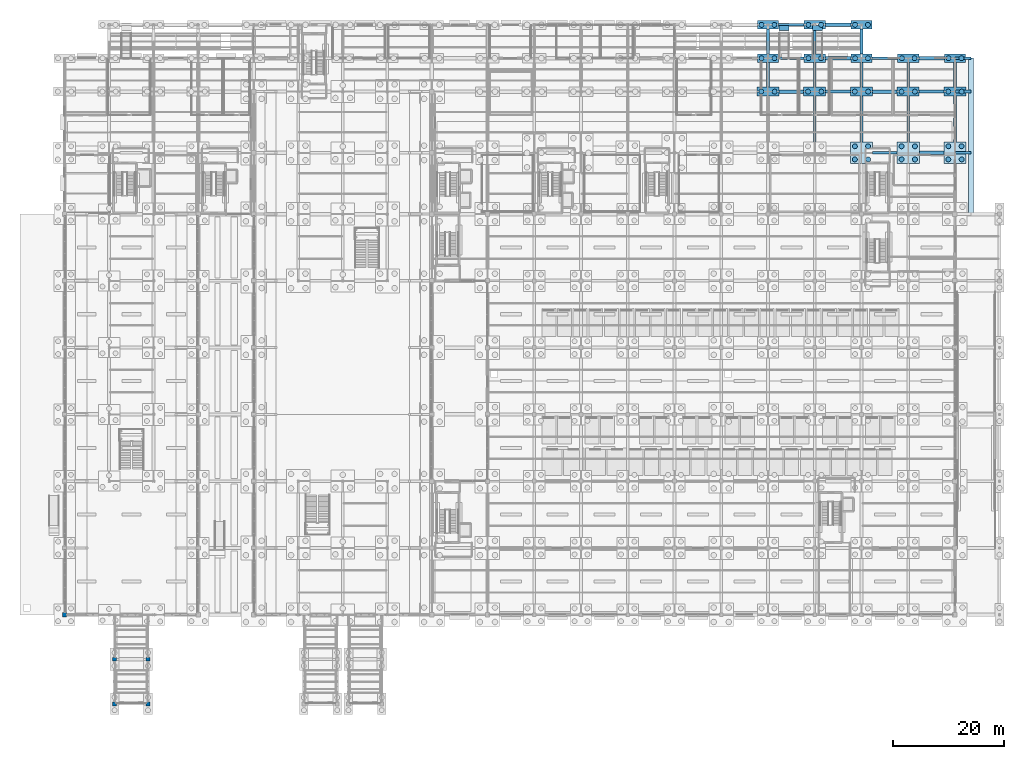
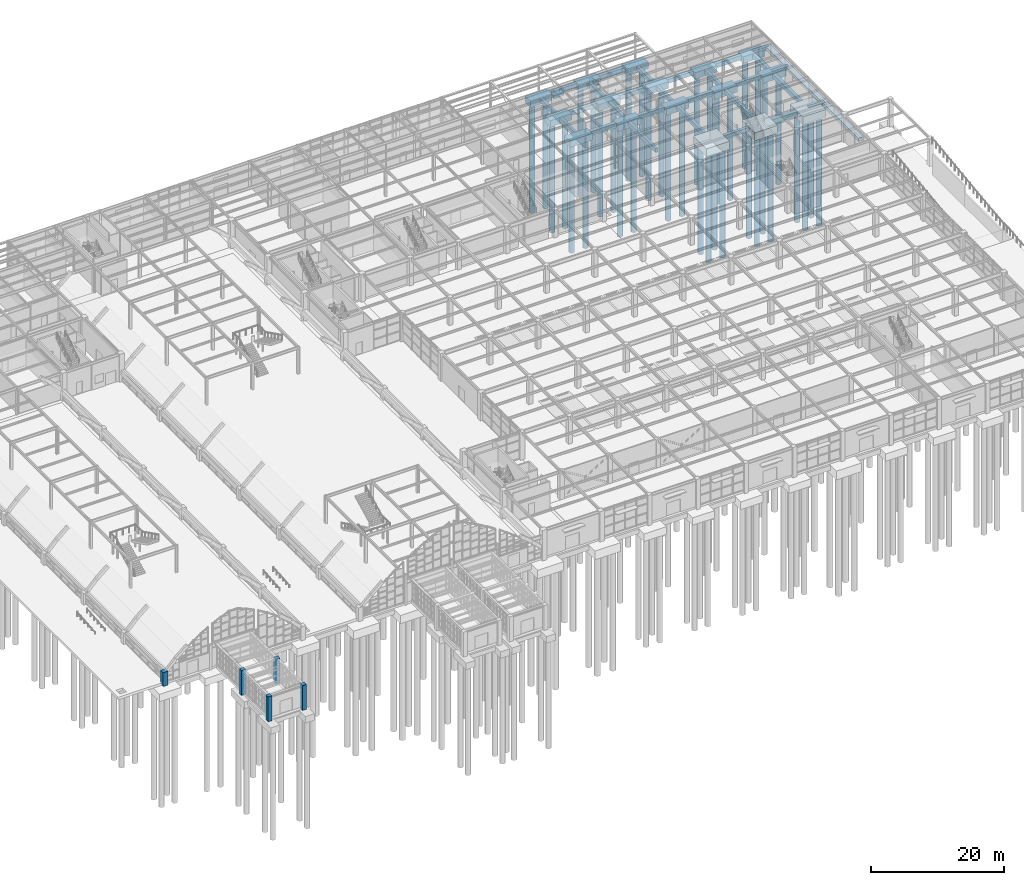
# One storey, part 11 of 129: 46 footings, 38 piles, 5 columns.
"""IFC4 building model written with IfcOpenShell, lengths in metres."""

from ifc_helpers import new_model, si_unit, direction, frame, origin, origin_2d, place, context, subcontext, project, spatial, rectangle, circle, extrude, material, material_profile, profile_set, type_object, element, save


model = new_model("IFC4")

# Units and contexts
model_context = context("Model", 3, precision=1e-05, world=origin(), true_north=direction((0.0, 1.0)))
body_context = subcontext(model_context, "Body", "Model", "MODEL_VIEW")
ifc_project = project(units=[si_unit("LENGTHUNIT", "METRE"), si_unit("AREAUNIT", "SQUARE_METRE"), si_unit("VOLUMEUNIT", "CUBIC_METRE"), si_unit("PLANEANGLEUNIT", "RADIAN"), si_unit("MASSUNIT", "GRAM", prefix="KILO")], contexts=[model_context])

# Site, building, storey
site_placement = place(None, origin())
site = spatial("IfcSite", under=ifc_project, at=site_placement, CompositionType="ELEMENT")
building_placement = place(site_placement, origin())
building = spatial("IfcBuilding", under=site, at=building_placement, Name="Sitalva Quay Ferry Terminal", CompositionType="ELEMENT")
storey_placement = place(building_placement, origin())
storey = spatial("IfcBuildingStorey", under=building, at=storey_placement, Name="L01", CompositionType="ELEMENT", Elevation=0.0)

# Footings
ifc_material_1 = material(Name="Concrete C35/45", Category="concrete")
ifc_material_profile_1 = material_profile(ifc_material_1, rectangle(XDim=0.5, YDim=0.75, at=origin_2d()), Name="RC500x750")
ifc_profile_set_1 = profile_set([ifc_material_profile_1], Name="Concrete C35/45")
footing_type_1 = type_object("IfcFootingType", Name="FootingBeam_500x750", PredefinedType="FOOTING_BEAM", material=ifc_profile_set_1)
footing_1_placement = place(storey_placement, frame((153.199951171875, 89.0, -0.824951171875), z_axis=(1.0, 0.0, 0.0), x_axis=(0.0, 1.0, 0.0)))
element("IfcFooting", 1, at=footing_1_placement, inside=storey, type_object=footing_type_1, Name="Foundation tie beam FBR1-X-153", PredefinedType="FOOTING_BEAM", context=body_context, shape_type="SweptSolid", body=[
    extrude(rectangle(XDim=0.5, YDim=0.75, at=origin_2d()), origin(), (0.0, 0.0, 1.0), 4.400146484375),
])
footing_2_placement = place(storey_placement, frame((144.77490234375, 100.0, -0.824951171875), z_axis=(1.0, 0.0, 0.0), x_axis=(0.0, 1.0, 0.0)))
element("IfcFooting", 2, at=footing_2_placement, inside=storey, type_object=footing_type_1, Name="Foundation tie beam FBR1-X-171", PredefinedType="FOOTING_BEAM", context=body_context, shape_type="SweptSolid", body=[
    extrude(rectangle(XDim=0.5, YDim=0.75, at=origin_2d()), origin(), (0.0, 0.0, 1.0), 4.4501953125),
])
footing_3_placement = place(storey_placement, frame((161.574951171875, 100.0, -0.824951171875), z_axis=(1.0, 0.0, 0.0), x_axis=(0.0, 1.0, 0.0)))
element("IfcFooting", 3, at=footing_3_placement, inside=storey, type_object=footing_type_1, Name="Foundation tie beam FBR1-X-173", PredefinedType="FOOTING_BEAM", context=body_context, shape_type="SweptSolid", body=[
    extrude(rectangle(XDim=0.5, YDim=0.75, at=origin_2d()), origin(), (0.0, 0.0, 1.0), 4.449951171875),
])
for number, where, z_axis, x_axis, name in (
    (4, (136.300048828125, 106.0, -0.824951171875), (1.0, 0.0, 0.0), (0.0, 1.0, 0.0), "Foundation tie beam FBR1-X-189"),
    (5, (153.10009765625, 106.0, -0.824951171875), (1.0, 0.0, 0.0), (0.0, 1.0, 0.0), "Foundation tie beam FBR1-X-191"),
    (6, (136.300048828125, 112.0, -0.824951171875), (1.0, 0.0, 0.0), (0.0, 1.0, 0.0), "Foundation tie beam FBR1-X-207"),
):
    element("IfcFooting", number, at=place(storey_placement, frame(where, z_axis=z_axis, x_axis=x_axis)), inside=storey, type_object=footing_type_1, Name=name, PredefinedType="FOOTING_BEAM", context=body_context, shape_type="SweptSolid", body=[
        extrude(rectangle(XDim=0.5, YDim=0.75, at=origin_2d()), origin(), (0.0, 0.0, 1.0), 4.599853515625),
    ])
footing_4_placement = place(storey_placement, frame((134.39990234375, 100.800048828125, -0.824951171875), z_axis=(0.0, 1.0, 0.0), x_axis=(-1.0, 0.0, 0.0)))
element("IfcFooting", 7, at=footing_4_placement, inside=storey, type_object=footing_type_1, Name="Foundation tie beam FBR1-Y-359", PredefinedType="FOOTING_BEAM", context=body_context, shape_type="SweptSolid", body=[
    extrude(rectangle(XDim=0.5, YDim=0.75, at=origin_2d()), origin(), (0.0, 0.0, 1.0), 4.425048828125),
])
footing_5_placement = place(storey_placement, frame((134.39990234375, 106.77490234375, -0.824951171875), z_axis=(0.0, 1.0, 0.0), x_axis=(-1.0, 0.0, 0.0)))
element("IfcFooting", 8, at=footing_5_placement, inside=storey, type_object=footing_type_1, Name="Foundation tie beam FBR1-Y-360", PredefinedType="FOOTING_BEAM", context=body_context, shape_type="SweptSolid", body=[
    extrude(rectangle(XDim=0.5, YDim=0.75, at=origin_2d()), origin(), (0.0, 0.0, 1.0), 4.4501953125),
])
footing_6_placement = place(storey_placement, frame((142.800048828125, 90.949951171875, -0.824951171875), z_axis=(0.0, 1.0, 0.0), x_axis=(-1.0, 0.0, 0.0)))
element("IfcFooting", 9, at=footing_6_placement, inside=storey, type_object=footing_type_1, Name="Foundation tie beam FBR1-Y-368", PredefinedType="FOOTING_BEAM", context=body_context, shape_type="SweptSolid", body=[
    extrude(rectangle(XDim=0.5, YDim=0.75, at=origin_2d()), origin(), (0.0, 0.0, 1.0), 8.25),
])
footing_7_placement = place(storey_placement, frame((142.800048828125, 100.800048828125, -0.824951171875), z_axis=(0.0, 1.0, 0.0), x_axis=(-1.0, 0.0, 0.0)))
element("IfcFooting", 10, at=footing_7_placement, inside=storey, type_object=footing_type_1, Name="Foundation tie beam FBR1-Y-369", PredefinedType="FOOTING_BEAM", context=body_context, shape_type="SweptSolid", body=[
    extrude(rectangle(XDim=0.5, YDim=0.75, at=origin_2d()), origin(), (0.0, 0.0, 1.0), 4.425048828125),
])
footing_8_placement = place(storey_placement, frame((142.800048828125, 106.77490234375, -0.824951171875), z_axis=(0.0, 1.0, 0.0), x_axis=(-1.0, 0.0, 0.0)))
element("IfcFooting", 11, at=footing_8_placement, inside=storey, type_object=footing_type_1, Name="Foundation tie beam FBR1-Y-370", PredefinedType="FOOTING_BEAM", context=body_context, shape_type="SweptSolid", body=[
    extrude(rectangle(XDim=0.5, YDim=0.75, at=origin_2d()), origin(), (0.0, 0.0, 1.0), 4.4501953125),
])
footing_9_placement = place(storey_placement, frame((151.199951171875, 90.949951171875, -0.824951171875), z_axis=(0.0, 1.0, 0.0), x_axis=(-1.0, 0.0, 0.0)))
element("IfcFooting", 12, at=footing_9_placement, inside=storey, type_object=footing_type_1, Name="Foundation tie beam FBR1-Y-378", PredefinedType="FOOTING_BEAM", context=body_context, shape_type="SweptSolid", body=[
    extrude(rectangle(XDim=0.5, YDim=0.75, at=origin_2d()), origin(), (0.0, 0.0, 1.0), 8.25),
])
footing_10_placement = place(storey_placement, frame((151.199951171875, 100.800048828125, -0.824951171875), z_axis=(0.0, 1.0, 0.0), x_axis=(-1.0, 0.0, 0.0)))
element("IfcFooting", 13, at=footing_10_placement, inside=storey, type_object=footing_type_1, Name="Foundation tie beam FBR1-Y-379", PredefinedType="FOOTING_BEAM", context=body_context, shape_type="SweptSolid", body=[
    extrude(rectangle(XDim=0.5, YDim=0.75, at=origin_2d()), origin(), (0.0, 0.0, 1.0), 4.425048828125),
])
footing_11_placement = place(storey_placement, frame((151.199951171875, 106.77490234375, -0.824951171875), z_axis=(0.0, 1.0, 0.0), x_axis=(-1.0, 0.0, 0.0)))
element("IfcFooting", 14, at=footing_11_placement, inside=storey, type_object=footing_type_1, Name="Foundation tie beam FBR1-Y-380", PredefinedType="FOOTING_BEAM", context=body_context, shape_type="SweptSolid", body=[
    extrude(rectangle(XDim=0.5, YDim=0.75, at=origin_2d()), origin(), (0.0, 0.0, 1.0), 4.4501953125),
])
footing_12_placement = place(storey_placement, frame((159.60009765625, 90.949951171875, -0.824951171875), z_axis=(0.0, 1.0, 0.0), x_axis=(-1.0, 0.0, 0.0)))
element("IfcFooting", 15, at=footing_12_placement, inside=storey, type_object=footing_type_1, Name="Foundation tie beam FBR1-Y-388", PredefinedType="FOOTING_BEAM", context=body_context, shape_type="SweptSolid", body=[
    extrude(rectangle(XDim=0.5, YDim=0.75, at=origin_2d()), origin(), (0.0, 0.0, 1.0), 8.25),
])
footing_13_placement = place(storey_placement, frame((159.60009765625, 100.800048828125, -0.824951171875), z_axis=(0.0, 1.0, 0.0), x_axis=(-1.0, 0.0, 0.0)))
element("IfcFooting", 16, at=footing_13_placement, inside=storey, type_object=footing_type_1, Name="Foundation tie beam FBR1-Y-389", PredefinedType="FOOTING_BEAM", context=body_context, shape_type="SweptSolid", body=[
    extrude(rectangle(XDim=0.5, YDim=0.75, at=origin_2d()), origin(), (0.0, 0.0, 1.0), 4.425048828125),
])
for number, where, z_axis, x_axis, name in (
    (17, (168.0, 89.0, -0.824951171875), (1.0, 0.0, 0.0), (0.0, 1.0, 0.0), "East service walkway tie beam Y=89"),
    (18, (168.0, 100.0, -0.824951171875), (1.0, 0.0, 0.0), (0.0, 1.0, 0.0), "East service walkway tie beam Y=100"),
    (19, (168.0, 106.0, -0.824951171875), (1.0, 0.0, 0.0), (0.0, 1.0, 0.0), "East service walkway tie beam Y=106"),
):
    element("IfcFooting", number, at=place(storey_placement, frame(where, z_axis=z_axis, x_axis=x_axis)), inside=storey, type_object=footing_type_1, Name=name, PredefinedType="FOOTING_BEAM", context=body_context, shape_type="SweptSolid", body=[
        extrude(rectangle(XDim=0.5, YDim=0.75, at=origin_2d()), origin(), (0.0, 0.0, 1.0), 2.85009765625),
    ])
ifc_material_2 = material(Name="Concrete C35/45", Category="concrete")
ifc_material_profile_2 = material_profile(ifc_material_2, rectangle(XDim=0.60009765625, YDim=0.800048828125, at=origin_2d()), Name="RC600x800")
ifc_profile_set_2 = profile_set([ifc_material_profile_2], Name="Concrete C35/45")
footing_type_2 = type_object("IfcFootingType", Name="FootingBeam_600x800", PredefinedType="FOOTING_BEAM", material=ifc_profile_set_2)
footing_14_placement = place(storey_placement, frame((161.60009765625, 89.0, -0.85009765625), z_axis=(1.0, 0.0, 0.0), x_axis=(0.0, 1.0, 0.0)))
element("IfcFooting", 20, at=footing_14_placement, inside=storey, type_object=footing_type_2, Name="Foundation tie beam FBR1-X-154", PredefinedType="FOOTING_BEAM", context=body_context, shape_type="SweptSolid", body=[
    extrude(rectangle(XDim=0.60009765625, YDim=0.800048828125, at=origin_2d()), origin(), (0.0, 0.0, 1.0), 4.39990234375),
])
for number, where, z_axis, x_axis, name in (
    (21, (136.375, 100.0, -0.85009765625), (1.0, 0.0, 0.0), (0.0, 1.0, 0.0), "Foundation tie beam FBR1-X-170"),
    (22, (153.175048828125, 100.0, -0.85009765625), (1.0, 0.0, 0.0), (0.0, 1.0, 0.0), "Foundation tie beam FBR1-X-172"),
):
    element("IfcFooting", number, at=place(storey_placement, frame(where, z_axis=z_axis, x_axis=x_axis)), inside=storey, type_object=footing_type_2, Name=name, PredefinedType="FOOTING_BEAM", context=body_context, shape_type="SweptSolid", body=[
        extrude(rectangle(XDim=0.60009765625, YDim=0.800048828125, at=origin_2d()), origin(), (0.0, 0.0, 1.0), 4.449951171875),
    ])
for number, where, z_axis, x_axis, name in (
    (23, (144.699951171875, 106.0, -0.85009765625), (1.0, 0.0, 0.0), (0.0, 1.0, 0.0), "Foundation tie beam FBR1-X-190"),
    (24, (161.5, 106.0, -0.85009765625), (1.0, 0.0, 0.0), (0.0, 1.0, 0.0), "Foundation tie beam FBR1-X-192"),
    (25, (144.699951171875, 112.0, -0.85009765625), (1.0, 0.0, 0.0), (0.0, 1.0, 0.0), "Foundation tie beam FBR1-X-208"),
):
    element("IfcFooting", number, at=place(storey_placement, frame(where, z_axis=z_axis, x_axis=x_axis)), inside=storey, type_object=footing_type_2, Name=name, PredefinedType="FOOTING_BEAM", context=body_context, shape_type="SweptSolid", body=[
        extrude(rectangle(XDim=0.60009765625, YDim=0.800048828125, at=origin_2d()), origin(), (0.0, 0.0, 1.0), 4.60009765625),
    ])
footing_15_placement = place(storey_placement, frame((168.0, 90.949951171875, -0.85009765625), z_axis=(0.0, 1.0, 0.0), x_axis=(-1.0, 0.0, 0.0)))
element("IfcFooting", 26, at=footing_15_placement, inside=storey, type_object=footing_type_2, Name="Foundation tie beam FBR1-Y-397", PredefinedType="FOOTING_BEAM", context=body_context, shape_type="SweptSolid", body=[
    extrude(rectangle(XDim=0.60009765625, YDim=0.800048828125, at=origin_2d()), origin(), (0.0, 0.0, 1.0), 8.25),
])
footing_16_placement = place(storey_placement, frame((168.0, 100.800048828125, -0.85009765625), z_axis=(0.0, 1.0, 0.0), x_axis=(-1.0, 0.0, 0.0)))
element("IfcFooting", 27, at=footing_16_placement, inside=storey, type_object=footing_type_2, Name="Foundation tie beam FBR1-Y-398", PredefinedType="FOOTING_BEAM", context=body_context, shape_type="SweptSolid", body=[
    extrude(rectangle(XDim=0.60009765625, YDim=0.800048828125, at=origin_2d()), origin(), (0.0, 0.0, 1.0), 4.425048828125),
])
ifc_material_3 = material(Name="Concrete C35/45", Category="concrete")
footing_type_3 = type_object("IfcFootingType", Name="PileCap_2P_D900_X1", PredefinedType="PILE_CAP", material=ifc_material_3)
for number, where, z_axis, x_axis, name in (
    (28, (134.39990234375, 106.0, -1.64990234375), (0.0, 0.0, 1.0), (1.0, 0.0, 0.0), "Pile cap PC-13 at 17M"),
    (29, (142.800048828125, 106.0, -1.64990234375), (0.0, 0.0, 1.0), (1.0, 0.0, 0.0), "Pile cap PC-13 at 18M"),
    (30, (151.199951171875, 106.0, -1.64990234375), (0.0, 0.0, 1.0), (1.0, 0.0, 0.0), "Pile cap PC-13 at 19M"),
    (31, (159.60009765625, 106.0, -1.64990234375), (0.0, 0.0, 1.0), (1.0, 0.0, 0.0), "Pile cap PC-13 at 20M"),
    (32, (168.0, 106.0, -1.64990234375), (0.0, 0.0, 1.0), (1.0, 0.0, 0.0), "Pile cap PC-13 at 21M"),
    (33, (134.39990234375, 112.0, -1.64990234375), (0.0, 0.0, 1.0), (1.0, 0.0, 0.0), "Pile cap PC-13 at 17N"),
    (34, (142.800048828125, 112.0, -1.64990234375), (0.0, 0.0, 1.0), (1.0, 0.0, 0.0), "Pile cap PC-13 at 18N"),
    (35, (151.199951171875, 112.0, -1.64990234375), (0.0, 0.0, 1.0), (1.0, 0.0, 0.0), "Pile cap PC-13 at 19N"),
):
    element("IfcFooting", number, at=place(storey_placement, frame(where, z_axis=z_axis, x_axis=x_axis)), inside=storey, type_object=footing_type_3, Name=name, PredefinedType="PILE_CAP", context=body_context, shape_type="SweptSolid", body=[
        extrude(rectangle(XDim=3.800048828125, YDim=1.550048828125, at=origin_2d()), origin(), (0.0, 0.0, 1.0), 1.199951171875),
    ])
ifc_material_4 = material(Name="Concrete C35/45", Category="concrete")
footing_type_4 = type_object("IfcFootingType", Name="PileCap_2P_D900_X2", PredefinedType="PILE_CAP", material=ifc_material_4)
for number, where, z_axis, x_axis, name in (
    (36, (134.39990234375, 100.0, -1.699951171875), (0.0, 0.0, 1.0), (1.0, 0.0, 0.0), "Pile cap PC-14 at 17L"),
    (37, (142.800048828125, 100.0, -1.699951171875), (0.0, 0.0, 1.0), (1.0, 0.0, 0.0), "Pile cap PC-14 at 18L"),
    (38, (151.199951171875, 100.0, -1.699951171875), (0.0, 0.0, 1.0), (1.0, 0.0, 0.0), "Pile cap PC-14 at 19L"),
    (39, (159.60009765625, 100.0, -1.699951171875), (0.0, 0.0, 1.0), (1.0, 0.0, 0.0), "Pile cap PC-14 at 20L"),
    (40, (168.0, 100.0, -1.699951171875), (0.0, 0.0, 1.0), (1.0, 0.0, 0.0), "Pile cap PC-14 at 21L"),
):
    element("IfcFooting", number, at=place(storey_placement, frame(where, z_axis=z_axis, x_axis=x_axis)), inside=storey, type_object=footing_type_4, Name=name, PredefinedType="PILE_CAP", context=body_context, shape_type="SweptSolid", body=[
        extrude(rectangle(XDim=3.949951171875, YDim=1.60009765625, at=origin_2d()), origin(), (0.0, 0.0, 1.0), 1.25),
    ])
ifc_material_5 = material(Name="Concrete C35/45", Category="concrete")
footing_type_5 = type_object("IfcFootingType", Name="PileCap_4P_D900_C", PredefinedType="PILE_CAP", material=ifc_material_5)
for number, where, z_axis, x_axis, name in (
    (41, (151.199951171875, 89.0, -1.89990234375), (0.0, 0.0, 1.0), (1.0, 0.0, 0.0), "Pile cap PC-09 at 19K"),
    (42, (159.60009765625, 89.0, -1.89990234375), (0.0, 0.0, 1.0), (1.0, 0.0, 0.0), "Pile cap PC-09 at 20K"),
    (43, (168.0, 89.0, -1.89990234375), (0.0, 0.0, 1.0), (1.0, 0.0, 0.0), "Pile cap PC-09 at 21K"),
):
    element("IfcFooting", number, at=place(storey_placement, frame(where, z_axis=z_axis, x_axis=x_axis)), inside=storey, type_object=footing_type_5, Name=name, PredefinedType="PILE_CAP", context=body_context, shape_type="SweptSolid", body=[
        extrude(rectangle(XDim=4.0, YDim=3.89990234375, at=origin_2d()), origin(), (0.0, 0.0, 1.0), 1.449951171875),
    ])

# Piles
ifc_material_6 = material(Name="Concrete C35/45", Category="concrete")
ifc_material_profile_3 = material_profile(ifc_material_6, circle(Radius=0.449951171875, at=origin_2d()), Name="PILE-D900")
ifc_profile_set_3 = profile_set([ifc_material_profile_3], Name="Concrete C35/45")
pile_type = type_object("IfcPileType", Name="Pile_Bored_D900", PredefinedType="BORED", material=ifc_profile_set_3)
for number, where, z_axis, x_axis, name in (
    (44, (150.0, 87.820068359375, -1.800048828125), (0.0, 0.0, -1.0), (1.0, 0.0, 0.0), "Bored pile 19K-P1"),
    (45, (152.39990234375, 87.820068359375, -1.800048828125), (0.0, 0.0, -1.0), (1.0, 0.0, 0.0), "Bored pile 19K-P2"),
    (46, (150.0, 90.179931640625, -1.800048828125), (0.0, 0.0, -1.0), (1.0, 0.0, 0.0), "Bored pile 19K-P3"),
    (47, (152.39990234375, 90.179931640625, -1.800048828125), (0.0, 0.0, -1.0), (1.0, 0.0, 0.0), "Bored pile 19K-P4"),
    (48, (158.39990234375, 87.820068359375, -1.800048828125), (0.0, 0.0, -1.0), (1.0, 0.0, 0.0), "Bored pile 20K-P1"),
    (49, (160.800048828125, 87.820068359375, -1.800048828125), (0.0, 0.0, -1.0), (1.0, 0.0, 0.0), "Bored pile 20K-P2"),
    (50, (158.39990234375, 90.179931640625, -1.800048828125), (0.0, 0.0, -1.0), (1.0, 0.0, 0.0), "Bored pile 20K-P3"),
    (51, (160.800048828125, 90.179931640625, -1.800048828125), (0.0, 0.0, -1.0), (1.0, 0.0, 0.0), "Bored pile 20K-P4"),
    (52, (166.800048828125, 87.820068359375, -1.800048828125), (0.0, 0.0, -1.0), (1.0, 0.0, 0.0), "Bored pile 21K-P1"),
    (53, (169.199951171875, 87.820068359375, -1.800048828125), (0.0, 0.0, -1.0), (1.0, 0.0, 0.0), "Bored pile 21K-P2"),
    (54, (166.800048828125, 90.179931640625, -1.800048828125), (0.0, 0.0, -1.0), (1.0, 0.0, 0.0), "Bored pile 21K-P3"),
    (55, (169.199951171875, 90.179931640625, -1.800048828125), (0.0, 0.0, -1.0), (1.0, 0.0, 0.0), "Bored pile 21K-P4"),
    (56, (133.199951171875, 100.0, -1.60009765625), (0.0, 0.0, -1.0), (1.0, 0.0, 0.0), "Bored pile 17L-P1"),
    (57, (135.60009765625, 100.0, -1.60009765625), (0.0, 0.0, -1.0), (1.0, 0.0, 0.0), "Bored pile 17L-P2"),
    (58, (141.60009765625, 100.0, -1.60009765625), (0.0, 0.0, -1.0), (1.0, 0.0, 0.0), "Bored pile 18L-P1"),
    (59, (144.0, 100.0, -1.60009765625), (0.0, 0.0, -1.0), (1.0, 0.0, 0.0), "Bored pile 18L-P2"),
    (60, (150.0, 100.0, -1.60009765625), (0.0, 0.0, -1.0), (1.0, 0.0, 0.0), "Bored pile 19L-P1"),
    (61, (152.39990234375, 100.0, -1.60009765625), (0.0, 0.0, -1.0), (1.0, 0.0, 0.0), "Bored pile 19L-P2"),
    (62, (158.39990234375, 100.0, -1.60009765625), (0.0, 0.0, -1.0), (1.0, 0.0, 0.0), "Bored pile 20L-P1"),
    (63, (160.800048828125, 100.0, -1.60009765625), (0.0, 0.0, -1.0), (1.0, 0.0, 0.0), "Bored pile 20L-P2"),
    (64, (166.800048828125, 100.0, -1.60009765625), (0.0, 0.0, -1.0), (1.0, 0.0, 0.0), "Bored pile 21L-P1"),
    (65, (169.199951171875, 100.0, -1.60009765625), (0.0, 0.0, -1.0), (1.0, 0.0, 0.0), "Bored pile 21L-P2"),
    (66, (133.25, 106.0, -1.550048828125), (0.0, 0.0, -1.0), (1.0, 0.0, 0.0), "Bored pile 17M-P1"),
    (67, (135.550048828125, 106.0, -1.550048828125), (0.0, 0.0, -1.0), (1.0, 0.0, 0.0), "Bored pile 17M-P2"),
    (68, (141.64990234375, 106.0, -1.550048828125), (0.0, 0.0, -1.0), (1.0, 0.0, 0.0), "Bored pile 18M-P1"),
    (69, (143.949951171875, 106.0, -1.550048828125), (0.0, 0.0, -1.0), (1.0, 0.0, 0.0), "Bored pile 18M-P2"),
    (70, (150.050048828125, 106.0, -1.550048828125), (0.0, 0.0, -1.0), (1.0, 0.0, 0.0), "Bored pile 19M-P1"),
    (71, (152.35009765625, 106.0, -1.550048828125), (0.0, 0.0, -1.0), (1.0, 0.0, 0.0), "Bored pile 19M-P2"),
    (72, (158.449951171875, 106.0, -1.550048828125), (0.0, 0.0, -1.0), (1.0, 0.0, 0.0), "Bored pile 20M-P1"),
    (73, (160.75, 106.0, -1.550048828125), (0.0, 0.0, -1.0), (1.0, 0.0, 0.0), "Bored pile 20M-P2"),
    (74, (166.85009765625, 106.0, -1.550048828125), (0.0, 0.0, -1.0), (1.0, 0.0, 0.0), "Bored pile 21M-P1"),
    (75, (169.14990234375, 106.0, -1.550048828125), (0.0, 0.0, -1.0), (1.0, 0.0, 0.0), "Bored pile 21M-P2"),
    (76, (133.25, 112.0, -1.550048828125), (0.0, 0.0, -1.0), (1.0, 0.0, 0.0), "Bored pile 17N-P1"),
    (77, (135.550048828125, 112.0, -1.550048828125), (0.0, 0.0, -1.0), (1.0, 0.0, 0.0), "Bored pile 17N-P2"),
    (78, (141.64990234375, 112.0, -1.550048828125), (0.0, 0.0, -1.0), (1.0, 0.0, 0.0), "Bored pile 18N-P1"),
    (79, (143.949951171875, 112.0, -1.550048828125), (0.0, 0.0, -1.0), (1.0, 0.0, 0.0), "Bored pile 18N-P2"),
    (80, (150.050048828125, 112.0, -1.550048828125), (0.0, 0.0, -1.0), (1.0, 0.0, 0.0), "Bored pile 19N-P1"),
    (81, (152.35009765625, 112.0, -1.550048828125), (0.0, 0.0, -1.0), (1.0, 0.0, 0.0), "Bored pile 19N-P2"),
):
    element("IfcPile", number, at=place(storey_placement, frame(where, z_axis=z_axis, x_axis=x_axis)), inside=storey, type_object=pile_type, Name=name, PredefinedType="BORED", context=body_context, shape_type="SweptSolid", body=[
        extrude(circle(Radius=0.449951171875, at=origin_2d()), origin(), (0.0, 0.0, 1.0), 20.0),
    ])

# Footings
ifc_material_7 = material(Name="Concrete C35/45", Category="concrete")
ifc_material_profile_4 = material_profile(ifc_material_7, rectangle(XDim=0.89990234375, YDim=0.60009765625, at=origin_2d()), Name="RC900x600")
ifc_profile_set_4 = profile_set([ifc_material_profile_4], Name="Concrete C35/45")
footing_type_6 = type_object("IfcFootingType", Name="StripFooting_900x600", PredefinedType="STRIP_FOOTING", material=ifc_profile_set_4)
footing_17_placement = place(storey_placement, frame((170.85009765625, 78.0, -0.75), z_axis=(0.0, 1.0, 0.0), x_axis=(-1.0, 0.0, 0.0)))
element("IfcFooting", 82, at=footing_17_placement, inside=storey, type_object=footing_type_6, Name="East service walkway perimeter strip footing", PredefinedType="STRIP_FOOTING", context=body_context, shape_type="SweptSolid", body=[
    extrude(rectangle(XDim=0.89990234375, YDim=0.60009765625, at=origin_2d()), origin(), (0.0, 0.0, 1.0), 28.0),
])
for number, where, z_axis, x_axis, name in (
    (83, (136.39990234375, 111.39990234375, -0.97998046875), (1.0, 0.0, 0.0), (0.0, 1.0, 0.0), "East landside entrance accessible ramp landing strip footing"),
    (84, (142.39990234375, 111.39990234375, -0.97998046875), (1.0, 0.0, 0.0), (0.0, 1.0, 0.0), "East forecourt arrival accessible ramp landing strip footing"),
):
    element("IfcFooting", number, at=place(storey_placement, frame(where, z_axis=z_axis, x_axis=x_axis)), inside=storey, type_object=footing_type_6, Name=name, PredefinedType="STRIP_FOOTING", context=body_context, shape_type="SweptSolid", body=[
        extrude(rectangle(XDim=0.89990234375, YDim=0.60009765625, at=origin_2d()), origin(), (0.0, 0.0, 1.0), 1.800048828125),
    ])

# Columns
ifc_material_8 = material(Name="Concrete C35/45", Category="concrete")
ifc_material_profile_5 = material_profile(ifc_material_8, rectangle(XDim=0.699951171875, YDim=0.699951171875, at=origin_2d()), Name="RC700x700")
ifc_profile_set_5 = profile_set([ifc_material_profile_5], Name="Concrete C35/45")
column_type_1 = type_object("IfcColumnType", Name="Col_RC700x700", PredefinedType="COLUMN", material=ifc_profile_set_5)
for number, where, z_axis, x_axis, name in (
    (85, (17.0, -10.0, -0.449951171875), (0.0, 0.0, 1.0), (1.0, 0.0, 0.0), "L01 column X170A"),
    (86, (23.0, -10.0, -0.449951171875), (0.0, 0.0, 1.0), (1.0, 0.0, 0.0), "L01 column X230A"),
    (87, (17.0, -2.0, -0.449951171875), (0.0, 0.0, 1.0), (1.0, 0.0, 0.0), "L01 column X170B"),
    (88, (23.0, -2.0, -0.449951171875), (0.0, 0.0, 1.0), (1.0, 0.0, 0.0), "L01 column X230B"),
):
    element("IfcColumn", number, at=place(storey_placement, frame(where, z_axis=z_axis, x_axis=x_axis)), inside=storey, type_object=column_type_1, Name=name, PredefinedType="COLUMN", context=body_context, shape_type="SweptSolid", body=[
        extrude(rectangle(XDim=0.699951171875, YDim=0.699951171875, at=origin_2d()), origin(), (0.0, 0.0, 1.0), 4.579833984375),
    ])
ifc_material_9 = material(Name="Concrete C40/50", Category="concrete")
ifc_material_profile_6 = material_profile(ifc_material_9, rectangle(XDim=0.800048828125, YDim=0.800048828125, at=origin_2d()), Name="RC800x800")
ifc_profile_set_6 = profile_set([ifc_material_profile_6], Name="Concrete C40/50")
column_type_2 = type_object("IfcColumnType", Name="Col_RC800x800", PredefinedType="COLUMN", material=ifc_profile_set_6)
column_placement = place(storey_placement, frame((8.0, 6.0, -0.449951171875), z_axis=(0.0, 0.0, 1.0), x_axis=(1.0, 0.0, 0.0)))
element("IfcColumn", 89, at=column_placement, inside=storey, type_object=column_type_2, Name="L01 column 2C", PredefinedType="COLUMN", context=body_context, shape_type="SweptSolid", body=[
    extrude(rectangle(XDim=0.800048828125, YDim=0.800048828125, at=origin_2d()), origin(), (0.0, 0.0, 1.0), 2.550048828125),
])

save(model, "model.ifc")
